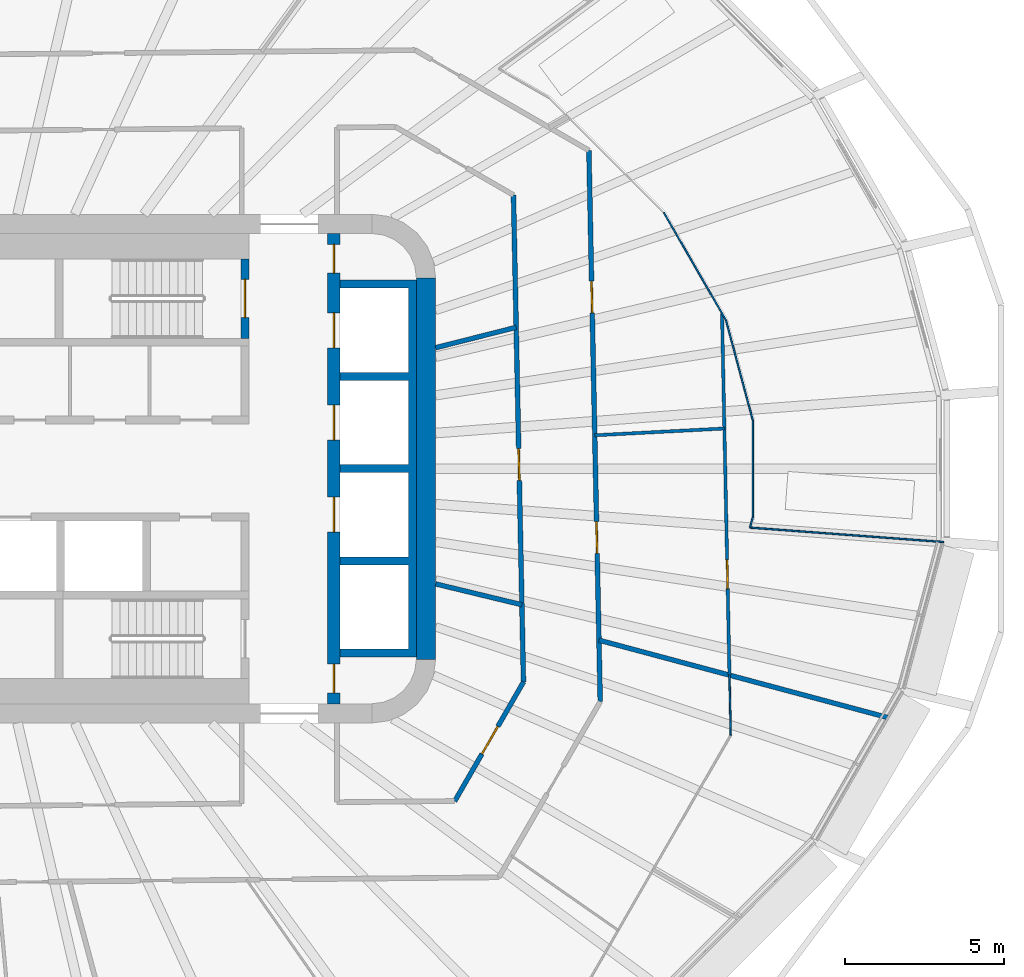
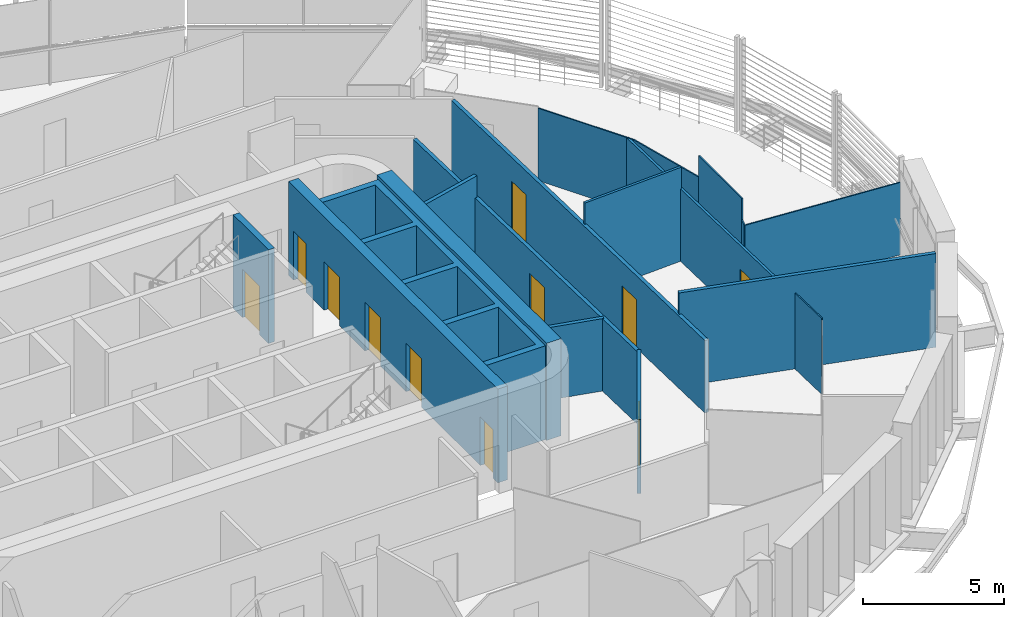
# One storey, part 15 of 24: 18 walls, 11 doors, 11 openings.
"""IFC4 building model written with IfcOpenShell, lengths in metres."""

from ifc_helpers import new_model, si_unit, direction, frame, frame_2d, origin, place, context, subcontext, project, spatial, polyline, rectangle, outline, extrude, material, layer, layer_set, type_object, element, fill, save


model = new_model("IFC4")

# Units and contexts
model_context = context("Model", 3, precision=1e-05, world=origin(), true_north=direction((0.0, 1.0)))
body_context = subcontext(model_context, "Body", "Model", "MODEL_VIEW")
ifc_project = project(units=[si_unit("LENGTHUNIT", "METRE"), si_unit("AREAUNIT", "SQUARE_METRE"), si_unit("VOLUMEUNIT", "CUBIC_METRE"), si_unit("PLANEANGLEUNIT", "RADIAN"), si_unit("MASSUNIT", "GRAM", prefix="KILO")], contexts=[model_context])

# Site, building, storey
site_placement = place(None, origin())
site = spatial("IfcSite", under=ifc_project, at=site_placement, CompositionType="ELEMENT")
building_placement = place(site_placement, origin())
building = spatial("IfcBuilding", under=site, at=building_placement, Name="Sahrelin Media Tower", CompositionType="ELEMENT")
storey_placement = place(building_placement, frame((0.0, 0.0, 67.199951171875)))
storey = spatial("IfcBuildingStorey", under=building, at=storey_placement, Name="L11", CompositionType="ELEMENT", Elevation=67.199951171875)

# Wall
ifc_material_1 = material(Name="Concrete C60/75", Category="concrete")
ifc_layer_1 = layer(ifc_material_1, 0.60009765625)
ifc_layer_set_1 = layer_set([ifc_layer_1], Name="Core wall 600")
wall_type_1 = type_object("IfcWallType", Name="Core wall 600", PredefinedType="SHEAR", material=ifc_layer_set_1)
wall_1_placement = place(storey_placement, frame((14.699951171875, -6.0, 0.0), z_axis=(0.0, 0.0, 1.0), x_axis=(0.0, 1.0, 0.0)))
element("IfcWall", 1, at=wall_1_placement, inside=storey, type_object=wall_type_1, Name="Core wall E L11", PredefinedType="SHEAR", context=body_context, shape_type="SweptSolid", body=[
    extrude(rectangle(XDim=12.0, YDim=0.60009765625, at=frame_2d((6.0, 0.0))), origin(), (0.0, 0.0, 1.0), 4.199951171875),
])

# Wall, opening, door
ifc_material_2 = material(Name="Fire-rated gypsum board partition")
ifc_layer_2 = layer(ifc_material_2, 0.14990234375)
ifc_layer_set_2 = layer_set([ifc_layer_2], Name="Fire-rated partition 150")
wall_type_2 = type_object("IfcWallType", Name="Fire-rated partition 150", PredefinedType="PARTITIONING", material=ifc_layer_set_2)
wall_2_placement = place(storey_placement, frame((17.448974609375, 8.60595703125, 0.0), z_axis=(0.0, 0.0, 1.0), x_axis=(0.020558666055, -0.99978864829, 0.0)))
wall_2 = element("IfcWall", 2, at=wall_2_placement, inside=storey, type_object=wall_type_2, Name="Wall", PredefinedType="PARTITIONING", context=body_context, shape_type="SweptSolid", body=[
    extrude(rectangle(XDim=15.319091796875, YDim=0.14990234375, at=frame_2d((7.65966796875, 0.0))), origin(), (0.0, 0.0, 1.0), 3.126953125),
])
opening_1_placement = place(wall_2_placement, frame((7.977783203125, 0.0, 0.0)))
opening_1 = element("IfcOpeningElement", 3, at=opening_1_placement, cuts=wall_2, Name="Opening L11-D26", PredefinedType="OPENING", context=body_context, shape_type="SweptSolid", body=[
    extrude(rectangle(XDim=1.0, YDim=2.10009765625, at=frame_2d((0.5, 1.050048828125))), frame((0.0, 0.074951171875, 0.0), z_axis=(0.0, -1.0, 0.0), x_axis=(1.0, 0.0, 0.0)), (0.0, 0.0, 1.0), 0.14990234375),
])
ifc_material_3 = material(Name="Steel fire door leaf", Category="steel")
door_type_1 = type_object("IfcDoorType", Name="Fire door 1000 x 2100 EI 60", OperationType="NOTDEFINED", PredefinedType="DOOR", material=ifc_material_3)
door_1_placement = place(opening_1_placement, origin())
door_1 = element("IfcDoor", 4, at=door_1_placement, inside=storey, type_object=door_type_1, Name="Fire door", OperationType="SINGLE_SWING_RIGHT", OverallHeight=2.10009765625, OverallWidth=1.0, PredefinedType="DOOR", context=body_context, shape_type="SweptSolid", body=[
    extrude(rectangle(XDim=1.0, YDim=2.10009765625, at=frame_2d((0.5, 1.050048828125))), frame((0.0, 0.02490234375, 0.0), z_axis=(0.0, -1.0, 0.0), x_axis=(1.0, 0.0, 0.0)), (0.0, 0.0, 1.0), 0.050048828125),
])
fill(opening_1, door_1)

# Wall, openings, doors
wall_3_placement = place(storey_placement, frame((19.8212890625, 10.008056640625, 0.0), z_axis=(0.0, 0.0, 1.0), x_axis=(0.020552957546, -0.999788765658, 0.0)))
wall_3 = element("IfcWall", 5, at=wall_3_placement, inside=storey, type_object=wall_type_2, Name="Wall", PredefinedType="PARTITIONING", context=body_context, shape_type="SweptSolid", body=[
    extrude(rectangle(XDim=17.3427734375, YDim=0.14990234375, at=frame_2d((8.67138671875, 0.0))), origin(), (0.0, 0.0, 1.0), 3.126953125),
])
opening_2_placement = place(wall_3_placement, frame((11.677001953125, 0.0, 0.0)))
opening_2 = element("IfcOpeningElement", 6, at=opening_2_placement, cuts=wall_3, Name="Opening L11-D48", PredefinedType="OPENING", context=body_context, shape_type="SweptSolid", body=[
    extrude(rectangle(XDim=1.0, YDim=2.10009765625, at=frame_2d((0.5, 1.050048828125))), frame((0.0, 0.074951171875, 0.0), z_axis=(0.0, -1.0, 0.0), x_axis=(1.0, 0.0, 0.0)), (0.0, 0.0, 1.0), 0.14990234375),
])
opening_3_placement = place(wall_3_placement, frame((4.11279296875, 0.0, 0.0)))
opening_3 = element("IfcOpeningElement", 7, at=opening_3_placement, cuts=wall_3, Name="Opening L11-D49", PredefinedType="OPENING", context=body_context, shape_type="SweptSolid", body=[
    extrude(rectangle(XDim=1.0, YDim=2.10009765625, at=frame_2d((0.5, 1.050048828125))), frame((0.0, 0.074951171875, 0.0), z_axis=(0.0, -1.0, 0.0), x_axis=(1.0, 0.0, 0.0)), (0.0, 0.0, 1.0), 0.14990234375),
])
door_2_placement = place(opening_2_placement, origin())
door_2 = element("IfcDoor", 8, at=door_2_placement, inside=storey, type_object=door_type_1, Name="Fire door", OperationType="SINGLE_SWING_RIGHT", OverallHeight=2.10009765625, OverallWidth=1.0, PredefinedType="DOOR", context=body_context, shape_type="SweptSolid", body=[
    extrude(rectangle(XDim=1.0, YDim=2.10009765625, at=frame_2d((0.5, 1.050048828125))), frame((0.0, 0.02490234375, 0.0), z_axis=(0.0, -1.0, 0.0), x_axis=(1.0, 0.0, 0.0)), (0.0, 0.0, 1.0), 0.050048828125),
])
fill(opening_2, door_2)
door_3_placement = place(opening_3_placement, origin())
door_3 = element("IfcDoor", 9, at=door_3_placement, inside=storey, type_object=door_type_1, Name="Fire door", OperationType="SINGLE_SWING_LEFT", OverallHeight=2.10009765625, OverallWidth=1.0, PredefinedType="DOOR", context=body_context, shape_type="SweptSolid", body=[
    extrude(rectangle(XDim=1.0, YDim=2.10009765625, at=frame_2d((0.5, 1.050048828125))), frame((0.0, 0.02490234375, 0.0), z_axis=(0.0, -1.0, 0.0), x_axis=(1.0, 0.0, 0.0)), (0.0, 0.0, 1.0), 0.050048828125),
])
fill(opening_3, door_3)

# Walls
wall_4_placement = place(storey_placement, frame((20.138916015625, -5.39599609375, 0.0), z_axis=(0.0, 0.0, 1.0), x_axis=(0.965925251093, -0.258821191754, 0.0)))
element("IfcWall", 10, at=wall_4_placement, inside=storey, type_object=wall_type_2, Name="Wall", PredefinedType="PARTITIONING", context=body_context, shape_type="SweptSolid", body=[
    extrude(rectangle(XDim=9.415771484375, YDim=0.14990234375, at=frame_2d((4.7080078125, 0.0))), origin(), (0.0, 0.0, 1.0), 4.050048828125),
])
wall_5_placement = place(storey_placement, frame((15.0, -3.6259765625, 0.0), z_axis=(0.0, 0.0, 1.0), x_axis=(0.972005156389, -0.234959519818, 0.0)))
element("IfcWall", 11, at=wall_5_placement, inside=storey, type_object=wall_type_2, Name="Wall", PredefinedType="PARTITIONING", context=body_context, shape_type="SweptSolid", body=[
    extrude(rectangle(XDim=2.79296875, YDim=0.14990234375, at=frame_2d((1.396484375, 0.0))), origin(), (0.0, 0.0, 1.0), 3.126953125),
])
wall_6_placement = place(storey_placement, frame((15.0, 3.802001953125, 0.0), z_axis=(0.0, 0.0, 1.0), x_axis=(0.969340978535, 0.245719489117, 0.0)))
element("IfcWall", 12, at=wall_6_placement, inside=storey, type_object=wall_type_2, Name="Wall", PredefinedType="PARTITIONING", context=body_context, shape_type="SweptSolid", body=[
    extrude(rectangle(XDim=2.614990234375, YDim=0.14990234375, at=frame_2d((1.3076171875, 0.0))), origin(), (0.0, 0.0, 1.0), 4.050048828125),
])

# Wall, opening, door
wall_7_placement = place(storey_placement, frame((15.60205078125, -10.45703125, 0.0), z_axis=(0.0, 0.0, 1.0), x_axis=(0.500017157925, 0.866015497425, 0.0)))
wall_7 = element("IfcWall", 13, at=wall_7_placement, inside=storey, type_object=wall_type_2, Name="Wall", PredefinedType="PARTITIONING", context=body_context, shape_type="SweptSolid", body=[
    extrude(rectangle(XDim=4.326416015625, YDim=0.14990234375, at=frame_2d((2.1630859375, 0.0))), origin(), (0.0, 0.0, 1.0), 3.195068359375),
])
opening_4_placement = place(wall_7_placement, frame((1.712158203125, 0.0, 0.0)))
opening_4 = element("IfcOpeningElement", 14, at=opening_4_placement, cuts=wall_7, Name="Opening L11-D25", PredefinedType="OPENING", context=body_context, shape_type="SweptSolid", body=[
    extrude(rectangle(XDim=1.0, YDim=2.10009765625, at=frame_2d((0.5, 1.050048828125))), frame((0.0, 0.074951171875, 0.0), z_axis=(0.0, -1.0, 0.0), x_axis=(1.0, 0.0, 0.0)), (0.0, 0.0, 1.0), 0.14990234375),
])
door_4_placement = place(opening_4_placement, origin())
door_4 = element("IfcDoor", 15, at=door_4_placement, inside=storey, type_object=door_type_1, Name="Fire door", OperationType="SINGLE_SWING_RIGHT", OverallHeight=2.10009765625, OverallWidth=1.0, PredefinedType="DOOR", context=body_context, shape_type="SweptSolid", body=[
    extrude(rectangle(XDim=1.0, YDim=2.10009765625, at=frame_2d((0.5, 1.050048828125))), frame((0.0, 0.02490234375, 0.0), z_axis=(0.0, -1.0, 0.0), x_axis=(1.0, 0.0, 0.0)), (0.0, 0.0, 1.0), 0.050048828125),
])
fill(opening_4, door_4)

# Walls
ifc_material_4 = material(Name="Clear glass", Category="glass")
ifc_layer_3 = layer(ifc_material_4, 0.050048828125)
ifc_layer_set_3 = layer_set([ifc_layer_3], Name="Glazed partition 50")
wall_type_3 = type_object("IfcWallType", Name="Glazed partition 50", PredefinedType="PARTITIONING", material=ifc_layer_set_3)
wall_8_placement = place(storey_placement, frame((24.242919921875, -6.49609375, 0.0), z_axis=(0.0, 0.0, 1.0), x_axis=(0.020675429556, -0.99978624046, 0.0)))
element("IfcWall", 16, at=wall_8_placement, inside=storey, type_object=wall_type_3, Name="Wall", PredefinedType="PARTITIONING", context=body_context, shape_type="SweptSolid", body=[
    extrude(rectangle(XDim=1.889404296875, YDim=0.050048828125, at=frame_2d((0.94482421875, 0.0))), origin(), (0.0, 0.0, 1.0), 3.276123046875),
])
wall_9_placement = place(storey_placement, frame((24.137939453125, 4.659912109375, 0.0), z_axis=(0.0, 0.0, 1.0), x_axis=(0.258947488639, -0.965891400794, 0.0)))
element("IfcWall", 17, at=wall_9_placement, inside=storey, type_object=wall_type_3, Name="Wall", PredefinedType="PARTITIONING", context=body_context, shape_type="SweptSolid", body=[
    extrude(rectangle(XDim=3.251708984375, YDim=0.050048828125, at=frame_2d((1.6259765625, 0.0))), origin(), (0.0, 0.0, 1.0), 3.126953125),
])
wall_10_placement = place(storey_placement, frame((22.178955078125, 8.053955078125, 0.0), z_axis=(0.0, 0.0, 1.0), x_axis=(0.500038841519, -0.866002977462, 0.0)))
element("IfcWall", 18, at=wall_10_placement, inside=storey, type_object=wall_type_3, Name="Wall", PredefinedType="PARTITIONING", context=body_context, shape_type="SweptSolid", body=[
    extrude(rectangle(XDim=3.918701171875, YDim=0.050048828125, at=frame_2d((1.95947265625, 0.0))), origin(), (0.0, 0.0, 1.0), 3.126953125),
])
wall_11_placement = place(storey_placement, frame((24.889892578125, -1.85498046875, 0.0), z_axis=(0.0, 0.0, 1.0), x_axis=(0.997231640207, -0.074357620797, 0.0)))
element("IfcWall", 19, at=wall_11_placement, inside=storey, type_object=wall_type_3, Name="Wall", PredefinedType="PARTITIONING", context=body_context, shape_type="SweptSolid", body=[
    extrude(rectangle(XDim=6.10693359375, YDim=0.050048828125, at=frame_2d((3.053466796875, 0.0))), origin(), (0.0, 0.0, 1.0), 3.126953125),
])
wall_12_placement = place(storey_placement, frame((24.889892578125, -1.85498046875, 0.0), z_axis=(0.0, 0.0, 1.0), x_axis=(0.259016767744, 0.965872824976, 0.0)))
element("IfcWall", 20, at=wall_12_placement, inside=storey, type_object=wall_type_3, Name="Wall", PredefinedType="PARTITIONING", context=body_context, shape_type="SweptSolid", body=[
    extrude(rectangle(XDim=0.347900390625, YDim=0.050048828125, at=frame_2d((0.173828125, 0.0))), origin(), (0.0, 0.0, 1.0), 3.126953125),
])
wall_13_placement = place(storey_placement, frame((24.97998046875, -1.51904296875, 0.0), z_axis=(0.0, 0.0, 1.0), x_axis=(0.0, 1.0, 0.0)))
element("IfcWall", 21, at=wall_13_placement, inside=storey, type_object=wall_type_3, Name="Wall", PredefinedType="PARTITIONING", context=body_context, shape_type="SweptSolid", body=[
    extrude(rectangle(XDim=3.0380859375, YDim=0.050048828125, at=frame_2d((1.51904296875, 0.0))), origin(), (0.0, 0.0, 1.0), 4.050048828125),
])
ifc_layer_4 = layer(ifc_material_1, 0.25)
ifc_layer_set_4 = layer_set([ifc_layer_4], Name="Lift shaft wall 250")
wall_type_4 = type_object("IfcWallType", Name="Lift shaft wall 250", PredefinedType="SOLIDWALL", material=ifc_layer_set_4)
wall_14_placement = place(storey_placement, origin())
element("IfcWall", 22, at=wall_14_placement, inside=storey, type_object=wall_type_4, Name="Lift shaft wall", PredefinedType="SOLIDWALL", context=body_context, shape_type="SweptSolid", body=[
    extrude(outline(polyline([(12.0, -5.675048828125), (12.0, -5.925048828125), (14.14990234375, -5.925048828125), (14.39990234375, -5.925048828125), (14.39990234375, -5.675048828125), (14.39990234375, -3.02490234375), (14.39990234375, -2.77490234375), (14.39990234375, -0.125), (14.39990234375, 0.125), (14.39990234375, 2.77490234375), (14.39990234375, 3.02490234375), (14.39990234375, 5.675048828125), (14.39990234375, 5.925048828125), (14.14990234375, 5.925048828125), (12.0, 5.925048828125), (12.0, 5.675048828125), (14.14990234375, 5.675048828125), (14.14990234375, 3.02490234375), (12.0, 3.02490234375), (12.0, 2.77490234375), (14.14990234375, 2.77490234375), (14.14990234375, 0.125), (12.0, 0.125), (12.0, -0.125), (14.14990234375, -0.125), (14.14990234375, -2.77490234375), (12.0, -2.77490234375), (12.0, -3.02490234375), (14.14990234375, -3.02490234375), (14.14990234375, -5.675048828125), (12.0, -5.675048828125)])), origin(), (0.0, 0.0, 1.0), 4.050048828125),
])

# Wall, openings, doors
ifc_layer_5 = layer(ifc_material_1, 0.39990234375)
ifc_layer_set_5 = layer_set([ifc_layer_5], Name="Lift shaft wall 400")
wall_type_5 = type_object("IfcWallType", Name="Lift shaft wall 400", PredefinedType="SOLIDWALL", material=ifc_layer_set_5)
wall_15_placement = place(storey_placement, frame((11.800048828125, -7.39990234375, 0.0), z_axis=(0.0, 0.0, 1.0), x_axis=(0.0, 1.0, 0.0)))
wall_15 = element("IfcWall", 23, at=wall_15_placement, inside=storey, type_object=wall_type_5, Name="Lift shaft wall", PredefinedType="SOLIDWALL", context=body_context, shape_type="SweptSolid", body=[
    extrude(rectangle(XDim=14.7998046875, YDim=0.39990234375, at=frame_2d((7.39990234375, 0.0))), origin(), (0.0, 0.0, 1.0), 4.050048828125),
])
opening_5_placement = place(wall_15_placement, frame((11.199951171875, 0.0, 0.0)))
opening_5 = element("IfcOpeningElement", 24, at=opening_5_placement, cuts=wall_15, Name="Opening L11-LD-LR4", PredefinedType="OPENING", context=body_context, shape_type="SweptSolid", body=[
    extrude(rectangle(XDim=1.10009765625, YDim=2.10009765625, at=frame_2d((0.550048828125, 1.050048828125))), frame((0.0, 0.199951171875, 0.0), z_axis=(0.0, -1.0, 0.0), x_axis=(1.0, 0.0, 0.0)), (0.0, 0.0, 1.0), 0.39990234375),
])
opening_6_placement = place(wall_15_placement, frame((8.300048828125, 0.0, 0.0)))
opening_6 = element("IfcOpeningElement", 25, at=opening_6_placement, cuts=wall_15, Name="Opening L11-LD-LR5", PredefinedType="OPENING", context=body_context, shape_type="SweptSolid", body=[
    extrude(rectangle(XDim=1.10009765625, YDim=2.10009765625, at=frame_2d((0.550048828125, 1.050048828125))), frame((0.0, 0.199951171875, 0.0), z_axis=(0.0, -1.0, 0.0), x_axis=(1.0, 0.0, 0.0)), (0.0, 0.0, 1.0), 0.39990234375),
])
opening_7_placement = place(wall_15_placement, frame((5.39990234375, 0.0, 0.0)))
opening_7 = element("IfcOpeningElement", 26, at=opening_7_placement, cuts=wall_15, Name="Opening L11-LD-LR6", PredefinedType="OPENING", context=body_context, shape_type="SweptSolid", body=[
    extrude(rectangle(XDim=1.10009765625, YDim=2.10009765625, at=frame_2d((0.550048828125, 1.050048828125))), frame((0.0, 0.199951171875, 0.0), z_axis=(0.0, -1.0, 0.0), x_axis=(1.0, 0.0, 0.0)), (0.0, 0.0, 1.0), 0.39990234375),
])
opening_8_placement = place(wall_15_placement, frame((13.552490234375, 0.0, 0.0)))
opening_8 = element("IfcOpeningElement", 27, at=opening_8_placement, cuts=wall_15, Name="Opening L11-D17", PredefinedType="OPENING", context=body_context, shape_type="SweptSolid", body=[
    extrude(rectangle(XDim=0.89990234375, YDim=2.10009765625, at=frame_2d((0.449951171875, 1.050048828125))), frame((0.0, 0.199951171875, 0.0), z_axis=(0.0, -1.0, 0.0), x_axis=(1.0, 0.0, 0.0)), (0.0, 0.0, 1.0), 0.39990234375),
])
opening_9_placement = place(wall_15_placement, frame((0.347412109375, 0.0, 0.0)))
opening_9 = element("IfcOpeningElement", 28, at=opening_9_placement, cuts=wall_15, Name="Opening L11-D18", PredefinedType="OPENING", context=body_context, shape_type="SweptSolid", body=[
    extrude(rectangle(XDim=0.89990234375, YDim=2.10009765625, at=frame_2d((0.449951171875, 1.050048828125))), frame((0.0, 0.199951171875, 0.0), z_axis=(0.0, -1.0, 0.0), x_axis=(1.0, 0.0, 0.0)), (0.0, 0.0, 1.0), 0.39990234375),
])
ifc_material_5 = material(Name="Stainless steel", Category="steel")
door_type_2 = type_object("IfcDoorType", Name="Lift landing door 1100 x 2100 EI 120", OperationType="DOUBLE_DOOR_SLIDING", PredefinedType="DOOR", material=ifc_material_5)
door_5_placement = place(opening_5_placement, origin())
door_5 = element("IfcDoor", 29, at=door_5_placement, inside=storey, type_object=door_type_2, Name="Lift landing door LR4", OperationType="DOUBLE_DOOR_SLIDING", OverallHeight=2.10009765625, OverallWidth=1.10009765625, PredefinedType="DOOR", context=body_context, shape_type="SweptSolid", body=[
    extrude(rectangle(XDim=1.10009765625, YDim=2.10009765625, at=frame_2d((0.550048828125, 1.050048828125))), frame((0.0, 0.02490234375, 0.0), z_axis=(0.0, -1.0, 0.0), x_axis=(1.0, 0.0, 0.0)), (0.0, 0.0, 1.0), 0.050048828125),
])
fill(opening_5, door_5)
door_6_placement = place(opening_6_placement, origin())
door_6 = element("IfcDoor", 30, at=door_6_placement, inside=storey, type_object=door_type_2, Name="Lift landing door LR5", OperationType="DOUBLE_DOOR_SLIDING", OverallHeight=2.10009765625, OverallWidth=1.10009765625, PredefinedType="DOOR", context=body_context, shape_type="SweptSolid", body=[
    extrude(rectangle(XDim=1.10009765625, YDim=2.10009765625, at=frame_2d((0.550048828125, 1.050048828125))), frame((0.0, 0.02490234375, 0.0), z_axis=(0.0, -1.0, 0.0), x_axis=(1.0, 0.0, 0.0)), (0.0, 0.0, 1.0), 0.050048828125),
])
fill(opening_6, door_6)
door_7_placement = place(opening_7_placement, origin())
door_7 = element("IfcDoor", 31, at=door_7_placement, inside=storey, type_object=door_type_2, Name="Lift landing door LR6", OperationType="DOUBLE_DOOR_SLIDING", OverallHeight=2.10009765625, OverallWidth=1.10009765625, PredefinedType="DOOR", context=body_context, shape_type="SweptSolid", body=[
    extrude(rectangle(XDim=1.10009765625, YDim=2.10009765625, at=frame_2d((0.550048828125, 1.050048828125))), frame((0.0, 0.02490234375, 0.0), z_axis=(0.0, -1.0, 0.0), x_axis=(1.0, 0.0, 0.0)), (0.0, 0.0, 1.0), 0.050048828125),
])
fill(opening_7, door_7)
door_type_3 = type_object("IfcDoorType", Name="Riser door 900 x 2100 EI 120", OperationType="NOTDEFINED", PredefinedType="DOOR", material=ifc_material_3)
door_8_placement = place(opening_8_placement, origin())
door_8 = element("IfcDoor", 32, at=door_8_placement, inside=storey, type_object=door_type_3, Name="Riser door", OperationType="SINGLE_SWING_RIGHT", OverallHeight=2.10009765625, OverallWidth=0.89990234375, PredefinedType="DOOR", context=body_context, shape_type="SweptSolid", body=[
    extrude(rectangle(XDim=0.89990234375, YDim=2.10009765625, at=frame_2d((0.449951171875, 1.050048828125))), frame((0.0, 0.02490234375, 0.0), z_axis=(0.0, -1.0, 0.0), x_axis=(1.0, 0.0, 0.0)), (0.0, 0.0, 1.0), 0.050048828125),
])
fill(opening_8, door_8)
door_9_placement = place(opening_9_placement, origin())
door_9 = element("IfcDoor", 33, at=door_9_placement, inside=storey, type_object=door_type_3, Name="Riser door", OperationType="SINGLE_SWING_RIGHT", OverallHeight=2.10009765625, OverallWidth=0.89990234375, PredefinedType="DOOR", context=body_context, shape_type="SweptSolid", body=[
    extrude(rectangle(XDim=0.89990234375, YDim=2.10009765625, at=frame_2d((0.449951171875, 1.050048828125))), frame((0.0, 0.02490234375, 0.0), z_axis=(0.0, -1.0, 0.0), x_axis=(1.0, 0.0, 0.0)), (0.0, 0.0, 1.0), 0.050048828125),
])
fill(opening_9, door_9)

# Wall, opening, door
ifc_material_6 = material(Name="Gypsum board partition")
ifc_layer_6 = layer(ifc_material_6, 0.10009765625)
ifc_layer_set_6 = layer_set([ifc_layer_6], Name="Partition 100")
wall_type_6 = type_object("IfcWallType", Name="Partition 100", PredefinedType="PARTITIONING", material=ifc_layer_set_6)
wall_16_placement = place(storey_placement, frame((24.008056640625, 4.885009765625, 0.0), z_axis=(0.0, 0.0, 1.0), x_axis=(0.020653293652, -0.999786697982, 0.0)))
wall_16 = element("IfcWall", 34, at=wall_16_placement, inside=storey, type_object=wall_type_6, Name="Wall", PredefinedType="PARTITIONING", context=body_context, shape_type="SweptSolid", body=[
    extrude(rectangle(XDim=11.383544921875, YDim=0.10009765625, at=frame_2d((5.69189453125, 0.0))), origin(), (0.0, 0.0, 1.0), 3.126953125),
])
opening_10_placement = place(wall_16_placement, frame((7.760009765625, 0.0, 0.0)))
opening_10 = element("IfcOpeningElement", 35, at=opening_10_placement, cuts=wall_16, Name="Opening L11-D50", PredefinedType="OPENING", context=body_context, shape_type="SweptSolid", body=[
    extrude(rectangle(XDim=0.89990234375, YDim=2.10009765625, at=frame_2d((0.449951171875, 1.050048828125))), frame((0.0, 0.050048828125, 0.0), z_axis=(0.0, -1.0, 0.0), x_axis=(1.0, 0.0, 0.0)), (0.0, 0.0, 1.0), 0.10009765625),
])
ifc_material_7 = material(Name="Timber door leaf", Category="wood")
door_type_4 = type_object("IfcDoorType", Name="Single door 900 x 2100", OperationType="NOTDEFINED", PredefinedType="DOOR", material=ifc_material_7)
door_10_placement = place(opening_10_placement, origin())
door_10 = element("IfcDoor", 36, at=door_10_placement, inside=storey, type_object=door_type_4, Name="Single door", OperationType="SINGLE_SWING_LEFT", OverallHeight=2.10009765625, OverallWidth=0.89990234375, PredefinedType="DOOR", context=body_context, shape_type="SweptSolid", body=[
    extrude(rectangle(XDim=0.89990234375, YDim=2.10009765625, at=frame_2d((0.449951171875, 1.050048828125))), frame((0.0, 0.02490234375, 0.0), z_axis=(0.0, -1.0, 0.0), x_axis=(1.0, 0.0, 0.0)), (0.0, 0.0, 1.0), 0.050048828125),
])
fill(opening_10, door_10)

# Wall
wall_17_placement = place(storey_placement, frame((20.006103515625, 1.048095703125, 0.0), z_axis=(0.0, 0.0, 1.0), x_axis=(0.998626900289, 0.05238620065, 0.0)))
element("IfcWall", 37, at=wall_17_placement, inside=storey, type_object=wall_type_6, Name="Wall", PredefinedType="PARTITIONING", context=body_context, shape_type="SweptSolid", body=[
    extrude(rectangle(XDim=4.08251953125, YDim=0.10009765625, at=frame_2d((2.041259765625, 0.0))), origin(), (0.0, 0.0, 1.0), 4.050048828125),
])

# Wall, opening, door
ifc_layer_7 = layer(ifc_material_1, 0.25)
ifc_layer_set_7 = layer_set([ifc_layer_7], Name="Stair enclosure wall 250")
wall_type_7 = type_object("IfcWallType", Name="Stair enclosure wall 250", PredefinedType="SOLIDWALL", material=ifc_layer_set_7)
wall_18_placement = place(storey_placement, frame((9.0, 4.10009765625, 0.0), z_axis=(0.0, 0.0, 1.0), x_axis=(0.0, 1.0, 0.0)))
wall_18 = element("IfcWall", 38, at=wall_18_placement, inside=storey, type_object=wall_type_7, Name="Stair enclosure wall", PredefinedType="SOLIDWALL", context=body_context, shape_type="SweptSolid", body=[
    extrude(rectangle(XDim=2.5, YDim=0.25, at=frame_2d((1.25, 0.0))), origin(), (0.0, 0.0, 1.0), 4.050048828125),
])
opening_11_placement = place(wall_18_placement, frame((0.64990234375, 0.0, 0.0)))
opening_11 = element("IfcOpeningElement", 39, at=opening_11_placement, cuts=wall_18, Name="Opening L11-D02", PredefinedType="OPENING", context=body_context, shape_type="SweptSolid", body=[
    extrude(rectangle(XDim=1.199951171875, YDim=2.10009765625, at=frame_2d((0.60009765625, 1.050048828125))), frame((0.0, 0.125, 0.0), z_axis=(0.0, -1.0, 0.0), x_axis=(1.0, 0.0, 0.0)), (0.0, 0.0, 1.0), 0.25),
])
door_type_5 = type_object("IfcDoorType", Name="Stair door 1200 x 2100 EI 120", OperationType="NOTDEFINED", PredefinedType="DOOR", material=ifc_material_3)
door_11_placement = place(opening_11_placement, origin())
door_11 = element("IfcDoor", 40, at=door_11_placement, inside=storey, type_object=door_type_5, Name="Stair door ST3", OperationType="SINGLE_SWING_LEFT", OverallHeight=2.10009765625, OverallWidth=1.199951171875, PredefinedType="DOOR", context=body_context, shape_type="SweptSolid", body=[
    extrude(rectangle(XDim=1.199951171875, YDim=2.10009765625, at=frame_2d((0.60009765625, 1.050048828125))), frame((0.0, 0.02490234375, 0.0), z_axis=(0.0, -1.0, 0.0), x_axis=(1.0, 0.0, 0.0)), (0.0, 0.0, 1.0), 0.050048828125),
])
fill(opening_11, door_11)

save(model, "model.ifc")
